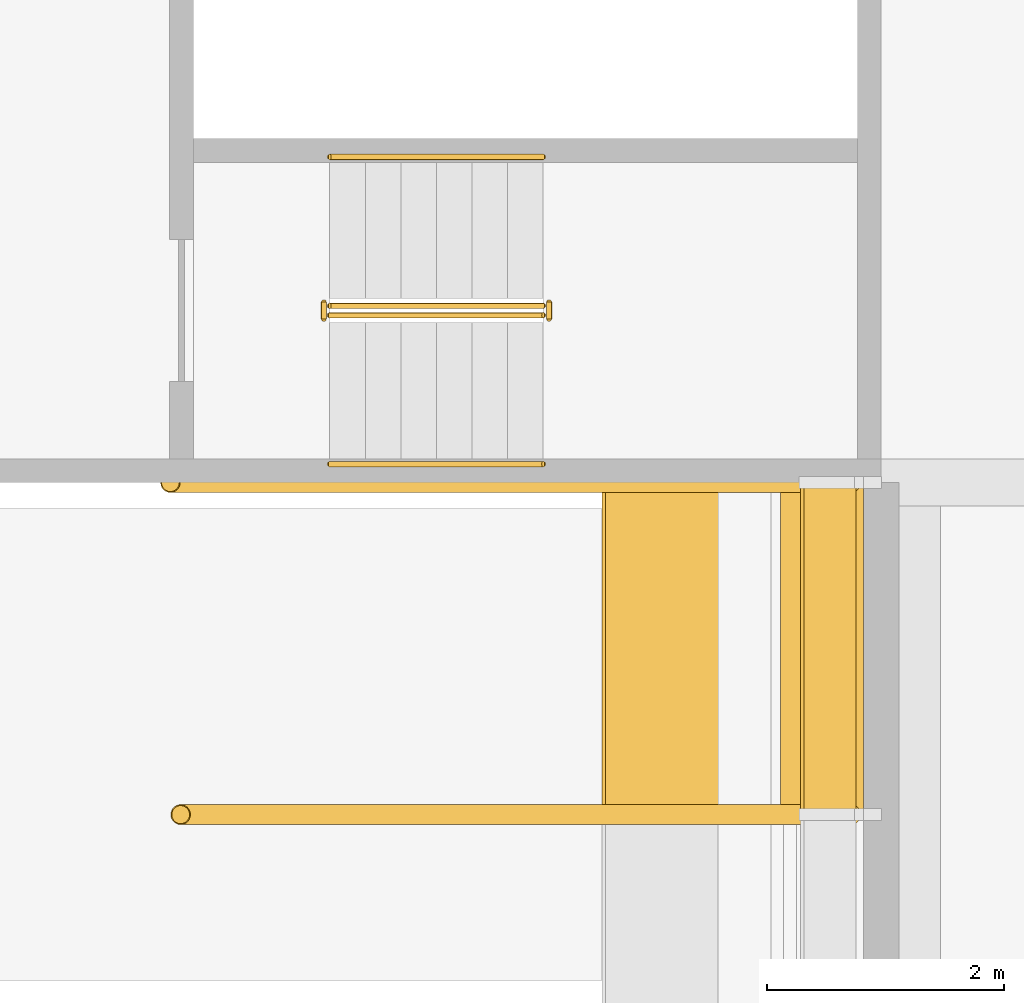
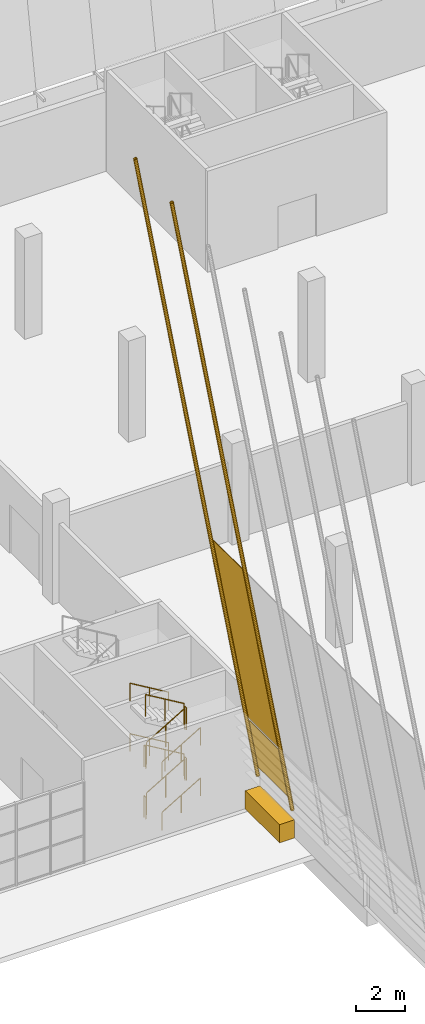
# One storey, part 87 of 101: 12 railings, 3 coverings, 2 shading devices.
"""IFC4 building model written with IfcOpenShell, lengths in metres."""

from ifc_helpers import new_model, si_unit, direction, frame, origin, origin_2d, place, context, subcontext, project, spatial, polyline, rectangle, circle, hollow_circle, outline, extrude, material, layer, layer_set, material_profile, profile_set, type_object, element, save


model = new_model("IFC4")

# Units and contexts
model_context = context("Model", 3, precision=1e-05, world=origin(), true_north=direction((0.0, 1.0)))
body_context = subcontext(model_context, "Body", "Model", "MODEL_VIEW")
ifc_project = project(units=[si_unit("LENGTHUNIT", "METRE"), si_unit("AREAUNIT", "SQUARE_METRE"), si_unit("VOLUMEUNIT", "CUBIC_METRE"), si_unit("PLANEANGLEUNIT", "RADIAN"), si_unit("MASSUNIT", "GRAM", prefix="KILO")], contexts=[model_context])

# Site, building, storey
site_placement = place(None, origin())
site = spatial("IfcSite", under=ifc_project, at=site_placement, CompositionType="ELEMENT")
building_placement = place(site_placement, origin())
building = spatial("IfcBuilding", under=site, at=building_placement, Name="Almond Square Museum", CompositionType="ELEMENT")
storey_placement = place(building_placement, frame((0.0, 0.0, 5.5)))
storey = spatial("IfcBuildingStorey", under=building, at=storey_placement, Name="L01", CompositionType="ELEMENT", Elevation=5.5)

# Shading devices
ifc_material_1 = material(Name="Structural steel S355", Category="steel")
ifc_material_profile = material_profile(ifc_material_1, hollow_circle(Radius=0.084228515625, WallThickness=0.008056640625, at=origin_2d()))
ifc_profile_set = profile_set([ifc_material_profile], Name="Structural steel S355")
shading_device_type = type_object("IfcShadingDeviceType", Name="Louvre post CHS 168.3 x 8", PredefinedType="USERDEFINED", material=ifc_profile_set)
shading_device_1_placement = place(storey_placement, frame((106.54443359375, 64.39990234375, 1.44873046875), z_axis=(-0.173645395912, 0.0, 0.984808243507), x_axis=(0.0, -1.0, 0.0)))
element("IfcShadingDevice", 1, at=shading_device_1_placement, inside=storey, type_object=shading_device_type, Name="Louvre post W06", ObjectType="POST", PredefinedType="USERDEFINED", context=body_context, shape_type="SweptSolid", body=[
    extrude(hollow_circle(Radius=0.084228515625, WallThickness=0.008056640625, at=origin_2d()), origin(), (0.0, 0.0, 1.0), 32.54541015625),
])
shading_device_2_placement = place(storey_placement, frame((106.54443359375, 67.199951171875, 1.44873046875), z_axis=(-0.173646238573, 0.0, 0.984808094925), x_axis=(0.0, -1.0, 0.0)))
element("IfcShadingDevice", 2, at=shading_device_2_placement, inside=storey, type_object=shading_device_type, Name="Louvre post W07", ObjectType="POST", PredefinedType="USERDEFINED", context=body_context, shape_type="SweptSolid", body=[
    extrude(hollow_circle(Radius=0.084228515625, WallThickness=0.008056640625, at=origin_2d()), origin(), (0.0, 0.0, 1.0), 33.04296875),
])

# Coverings
ifc_material_2 = material(Name="Cedar timber sheathing panel", Category="wood")
ifc_layer_1 = layer(ifc_material_2, 0.030029296875)
ifc_layer_set_1 = layer_set([ifc_layer_1], Name="Cedar timber sheathing panel")
covering_type_1 = type_object("IfcCoveringType", Name="Louvre rain-screen backing panel 30", PredefinedType="CLADDING", material=ifc_layer_set_1)
covering_1_placement = place(storey_placement, frame((106.57275390625, 64.39990234375, 1.8486328125), z_axis=(0.984810858511, 0.0, 0.173630564586), x_axis=(0.0, 1.0, 0.0)))
element("IfcCovering", 3, at=covering_1_placement, inside=storey, type_object=covering_type_1, Name="Louvre rain-screen backing panel W06.03", PredefinedType="CLADDING", context=body_context, shape_type="SweptSolid", body=[
    extrude(outline(polyline([(0.0, 0.0), (2.800048828125, 0.0), (2.800048828125, 2.519717660558068), (0.0, 2.519717660558068), (0.0, 0.0)])), frame((0.0, 0.0, -0.01513671875)), (0.0, 0.0, 1.0), 0.030029296875),
])
covering_2_placement = place(storey_placement, frame((106.110595703125, 64.39990234375, 4.469970703125), z_axis=(0.98480863204, 0.0, 0.173643192378), x_axis=(0.0, 1.0, 0.0)))
element("IfcCovering", 4, at=covering_2_placement, inside=storey, type_object=covering_type_1, Name="Louvre rain-screen backing panel W06.04", PredefinedType="CLADDING", context=body_context, shape_type="SweptSolid", body=[
    extrude(outline(polyline([(0.0, 0.0), (2.800048828125, 0.0), (2.800048828125, 9.504493682681225), (0.0, 9.504493682681225), (0.0, 0.0)])), frame((0.0, 0.0, -0.01513671875)), (0.0, 0.0, 1.0), 0.030029296875),
])
ifc_material_3 = material(Name="Timber plinth, cedar", Category="wood")
ifc_layer_2 = layer(ifc_material_3, 0.699951171875)
ifc_layer_set_2 = layer_set([ifc_layer_2], Name="Timber plinth, cedar")
covering_type_2 = type_object("IfcCoveringType", Name="Louvre skin plinth, timber 700 x 900", PredefinedType="CLADDING", material=ifc_layer_set_2)
covering_3_placement = place(storey_placement, frame((106.300048828125, 65.800048828125, 0.0), z_axis=(0.0, 0.0, 1.0), x_axis=(1.0, 0.0, 0.0)))
element("IfcCovering", 5, at=covering_3_placement, inside=storey, type_object=covering_type_2, Name="Louvre skin plinth W06", PredefinedType="CLADDING", context=body_context, shape_type="SweptSolid", body=[
    extrude(rectangle(XDim=0.699951171875, YDim=2.780029296875, at=origin_2d()), origin(), (0.0, 0.0, 1.0), 0.89990234375),
])

# Railings
ifc_material_4 = material(Name="Stainless steel and laminated glass", Category="steel")
railing_type_1 = type_object("IfcRailingType", Name="Stair guard 1100 steel and glass", PredefinedType="GUARDRAIL", material=ifc_material_4)
railing_1_placement = place(storey_placement, frame((102.14990234375, 68.610107421875, 0.178466796875)))
element("IfcRailing", 6, at=railing_1_placement, inside=storey, type_object=railing_type_1, Name="L01 ST-11 stair guard 1", PredefinedType="GUARDRAIL", context=body_context, shape_type="SweptSolid", body=[
    extrude(circle(Radius=0.02392578125, at=origin_2d()), frame((0.0, 0.0, 1.076171875), z_axis=(0.859277029364, 0.0, 0.511510495305), x_axis=(0.0, 1.0, 0.0)), (0.0, 0.0, 1.0), 2.0947265625),
    extrude(circle(Radius=0.02099609375, at=origin_2d()), origin(), (0.0, 0.0, 1.0), 1.052001953125),
    extrude(circle(Radius=0.02099609375, at=origin_2d()), frame((0.89990234375, 0.0, 0.53564453125)), (0.0, 0.0, 1.0), 1.052001953125),
    extrude(circle(Radius=0.02099609375, at=origin_2d()), frame((1.800048828125, 0.0, 1.071533203125)), (0.0, 0.0, 1.0), 1.052001953125),
])
railing_2_placement = place(storey_placement, frame((104.0, 68.580078125, 1.25)))
element("IfcRailing", 7, at=railing_2_placement, inside=storey, type_object=railing_type_1, Name="L01 ST-11 stair guard 2", PredefinedType="GUARDRAIL", context=body_context, shape_type="SweptSolid", body=[
    extrude(circle(Radius=0.02392578125, at=origin_2d()), frame((0.0, 0.0, 1.076171875), z_axis=(0.0, 1.0, 0.0), x_axis=(-1.0, 0.0, 0.0)), (0.0, 0.0, 1.0), 0.139892578125),
    extrude(circle(Radius=0.02099609375, at=origin_2d()), origin(), (0.0, 0.0, 1.0), 1.052001953125),
    extrude(circle(Radius=0.02099609375, at=origin_2d()), frame((0.0, 0.139892578125, 0.0)), (0.0, 0.0, 1.0), 1.052001953125),
])
railing_3_placement = place(storey_placement, frame((103.949951171875, 68.68994140625, 1.428466796875)))
element("IfcRailing", 8, at=railing_3_placement, inside=storey, type_object=railing_type_1, Name="L01 ST-11 stair guard 3", PredefinedType="GUARDRAIL", context=body_context, shape_type="SweptSolid", body=[
    extrude(circle(Radius=0.02392578125, at=origin_2d()), frame((0.0, 0.0, 1.076171875), z_axis=(-0.859277029364, 0.0, 0.511510495305), x_axis=(0.0, -1.0, 0.0)), (0.0, 0.0, 1.0), 2.0947265625),
    extrude(circle(Radius=0.02099609375, at=origin_2d()), origin(), (0.0, 0.0, 1.0), 1.052001953125),
    extrude(circle(Radius=0.02099609375, at=origin_2d()), frame((-0.89990234375, 0.0, 0.53564453125)), (0.0, 0.0, 1.0), 1.052001953125),
    extrude(circle(Radius=0.02099609375, at=origin_2d()), frame((-1.800048828125, 0.0, 1.071533203125)), (0.0, 0.0, 1.0), 1.052001953125),
])
railing_4_placement = place(storey_placement, frame((102.10009765625, 68.580078125, 2.5)))
element("IfcRailing", 9, at=railing_4_placement, inside=storey, type_object=railing_type_1, Name="L01 ST-11 stair guard 4", PredefinedType="GUARDRAIL", context=body_context, shape_type="SweptSolid", body=[
    extrude(circle(Radius=0.02392578125, at=origin_2d()), frame((0.0, 0.0, 1.076171875), z_axis=(0.0, 1.0, 0.0), x_axis=(-1.0, 0.0, 0.0)), (0.0, 0.0, 1.0), 0.139892578125),
    extrude(circle(Radius=0.02099609375, at=origin_2d()), origin(), (0.0, 0.0, 1.0), 1.052001953125),
    extrude(circle(Radius=0.02099609375, at=origin_2d()), frame((0.0, 0.139892578125, 0.0)), (0.0, 0.0, 1.0), 1.052001953125),
])
railing_5_placement = place(storey_placement, frame((102.14990234375, 68.610107421875, 2.678466796875)))
element("IfcRailing", 10, at=railing_5_placement, inside=storey, type_object=railing_type_1, Name="L01 ST-11 stair guard 5", PredefinedType="GUARDRAIL", context=body_context, shape_type="SweptSolid", body=[
    extrude(circle(Radius=0.02392578125, at=origin_2d()), frame((0.0, 0.0, 1.076171875), z_axis=(0.859277029364, 0.0, 0.511510495305), x_axis=(0.0, 1.0, 0.0)), (0.0, 0.0, 1.0), 2.0947265625),
    extrude(circle(Radius=0.02099609375, at=origin_2d()), origin(), (0.0, 0.0, 1.0), 1.052001953125),
    extrude(circle(Radius=0.02099609375, at=origin_2d()), frame((0.89990234375, 0.0, 0.53564453125)), (0.0, 0.0, 1.0), 1.052001953125),
    extrude(circle(Radius=0.02099609375, at=origin_2d()), frame((1.800048828125, 0.0, 1.071533203125)), (0.0, 0.0, 1.0), 1.052001953125),
])
railing_6_placement = place(storey_placement, frame((104.0, 68.580078125, 3.75)))
element("IfcRailing", 11, at=railing_6_placement, inside=storey, type_object=railing_type_1, Name="L01 ST-11 stair guard 6", PredefinedType="GUARDRAIL", context=body_context, shape_type="SweptSolid", body=[
    extrude(circle(Radius=0.02392578125, at=origin_2d()), frame((0.0, 0.0, 1.076171875), z_axis=(0.0, 1.0, 0.0), x_axis=(-1.0, 0.0, 0.0)), (0.0, 0.0, 1.0), 0.139892578125),
    extrude(circle(Radius=0.02099609375, at=origin_2d()), origin(), (0.0, 0.0, 1.0), 1.052001953125),
    extrude(circle(Radius=0.02099609375, at=origin_2d()), frame((0.0, 0.139892578125, 0.0)), (0.0, 0.0, 1.0), 1.052001953125),
])
railing_7_placement = place(storey_placement, frame((103.949951171875, 68.68994140625, 3.928466796875)))
element("IfcRailing", 12, at=railing_7_placement, inside=storey, type_object=railing_type_1, Name="L01 ST-11 stair guard 7", PredefinedType="GUARDRAIL", context=body_context, shape_type="SweptSolid", body=[
    extrude(circle(Radius=0.02392578125, at=origin_2d()), frame((0.0, 0.0, 1.076171875), z_axis=(-0.859277029364, 0.0, 0.511510495305), x_axis=(0.0, -1.0, 0.0)), (0.0, 0.0, 1.0), 2.0947265625),
    extrude(circle(Radius=0.02099609375, at=origin_2d()), origin(), (0.0, 0.0, 1.0), 1.052001953125),
    extrude(circle(Radius=0.02099609375, at=origin_2d()), frame((-0.89990234375, 0.0, 0.53564453125)), (0.0, 0.0, 1.0), 1.052001953125),
    extrude(circle(Radius=0.02099609375, at=origin_2d()), frame((-1.800048828125, 0.0, 1.071533203125)), (0.0, 0.0, 1.0), 1.052001953125),
])
railing_8_placement = place(storey_placement, frame((102.10009765625, 68.580078125, 0.0)))
element("IfcRailing", 13, at=railing_8_placement, inside=storey, type_object=railing_type_1, Name="L01 ST-11 stair guard 8", PredefinedType="GUARDRAIL", context=body_context, shape_type="SweptSolid", body=[
    extrude(circle(Radius=0.02392578125, at=origin_2d()), frame((0.0, 0.0, 1.076171875), z_axis=(0.0, 1.0, 0.0), x_axis=(-1.0, 0.0, 0.0)), (0.0, 0.0, 1.0), 0.139892578125),
    extrude(circle(Radius=0.02099609375, at=origin_2d()), origin(), (0.0, 0.0, 1.0), 1.052001953125),
    extrude(circle(Radius=0.02099609375, at=origin_2d()), frame((0.0, 0.139892578125, 0.0)), (0.0, 0.0, 1.0), 1.052001953125),
])
ifc_material_5 = material(Name="Stainless steel", Category="steel")
railing_type_2 = type_object("IfcRailingType", Name="Stair handrail 900 steel", PredefinedType="HANDRAIL", material=ifc_material_5)
railing_9_placement = place(storey_placement, frame((102.14990234375, 67.35498046875, 0.178466796875)))
element("IfcRailing", 14, at=railing_9_placement, inside=storey, type_object=railing_type_2, Name="L01 ST-11 stair handrail 1", PredefinedType="HANDRAIL", context=body_context, shape_type="SweptSolid", body=[
    extrude(circle(Radius=0.02392578125, at=origin_2d()), frame((0.0, 0.0, 0.8759765625), z_axis=(0.859277029364, 0.0, 0.511510495305), x_axis=(0.0, 1.0, 0.0)), (0.0, 0.0, 1.0), 2.0947265625),
    extrude(circle(Radius=0.02099609375, at=origin_2d()), origin(), (0.0, 0.0, 1.0), 0.851806640625),
    extrude(circle(Radius=0.02099609375, at=origin_2d()), frame((0.89990234375, 0.0, 0.53564453125)), (0.0, 0.0, 1.0), 0.851806640625),
    extrude(circle(Radius=0.02099609375, at=origin_2d()), frame((1.800048828125, 0.0, 1.071533203125)), (0.0, 0.0, 1.0), 0.851806640625),
])
railing_10_placement = place(storey_placement, frame((103.949951171875, 69.945068359375, 1.428466796875)))
element("IfcRailing", 15, at=railing_10_placement, inside=storey, type_object=railing_type_2, Name="L01 ST-11 stair handrail 2", PredefinedType="HANDRAIL", context=body_context, shape_type="SweptSolid", body=[
    extrude(circle(Radius=0.02392578125, at=origin_2d()), frame((0.0, 0.0, 0.8759765625), z_axis=(-0.859277029364, 0.0, 0.511510495305), x_axis=(0.0, -1.0, 0.0)), (0.0, 0.0, 1.0), 2.0947265625),
    extrude(circle(Radius=0.02099609375, at=origin_2d()), origin(), (0.0, 0.0, 1.0), 0.851806640625),
    extrude(circle(Radius=0.02099609375, at=origin_2d()), frame((-0.89990234375, 0.0, 0.53564453125)), (0.0, 0.0, 1.0), 0.851806640625),
    extrude(circle(Radius=0.02099609375, at=origin_2d()), frame((-1.800048828125, 0.0, 1.071533203125)), (0.0, 0.0, 1.0), 0.851806640625),
])
railing_11_placement = place(storey_placement, frame((102.14990234375, 67.35498046875, 2.678466796875)))
element("IfcRailing", 16, at=railing_11_placement, inside=storey, type_object=railing_type_2, Name="L01 ST-11 stair handrail 3", PredefinedType="HANDRAIL", context=body_context, shape_type="SweptSolid", body=[
    extrude(circle(Radius=0.02392578125, at=origin_2d()), frame((0.0, 0.0, 0.8759765625), z_axis=(0.859277029364, 0.0, 0.511510495305), x_axis=(0.0, 1.0, 0.0)), (0.0, 0.0, 1.0), 2.0947265625),
    extrude(circle(Radius=0.02099609375, at=origin_2d()), origin(), (0.0, 0.0, 1.0), 0.851806640625),
    extrude(circle(Radius=0.02099609375, at=origin_2d()), frame((0.89990234375, 0.0, 0.53564453125)), (0.0, 0.0, 1.0), 0.851806640625),
    extrude(circle(Radius=0.02099609375, at=origin_2d()), frame((1.800048828125, 0.0, 1.071533203125)), (0.0, 0.0, 1.0), 0.851806640625),
])
railing_12_placement = place(storey_placement, frame((103.949951171875, 69.945068359375, 3.928466796875)))
element("IfcRailing", 17, at=railing_12_placement, inside=storey, type_object=railing_type_2, Name="L01 ST-11 stair handrail 4", PredefinedType="HANDRAIL", context=body_context, shape_type="SweptSolid", body=[
    extrude(circle(Radius=0.02392578125, at=origin_2d()), frame((0.0, 0.0, 0.8759765625), z_axis=(-0.859277029364, 0.0, 0.511510495305), x_axis=(0.0, -1.0, 0.0)), (0.0, 0.0, 1.0), 2.0947265625),
    extrude(circle(Radius=0.02099609375, at=origin_2d()), origin(), (0.0, 0.0, 1.0), 0.851806640625),
    extrude(circle(Radius=0.02099609375, at=origin_2d()), frame((-0.89990234375, 0.0, 0.53564453125)), (0.0, 0.0, 1.0), 0.851806640625),
    extrude(circle(Radius=0.02099609375, at=origin_2d()), frame((-1.800048828125, 0.0, 1.071533203125)), (0.0, 0.0, 1.0), 0.851806640625),
])

save(model, "model.ifc")
